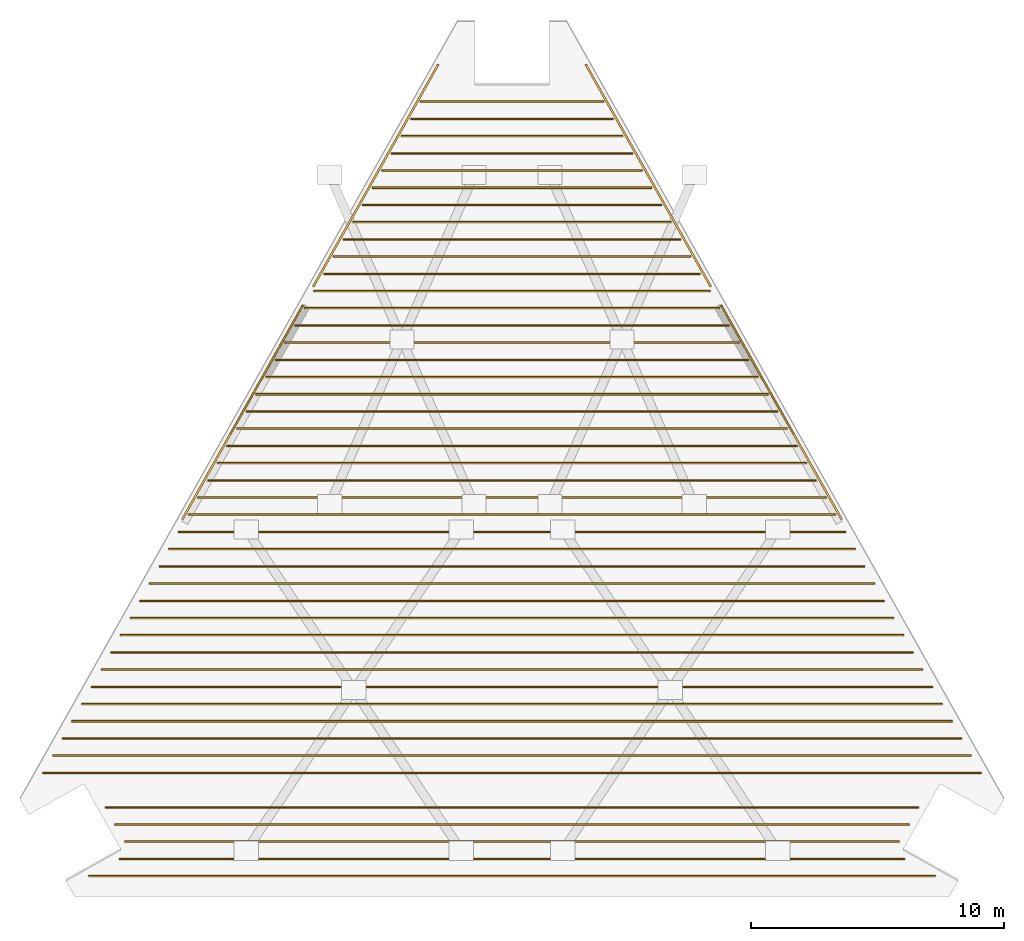
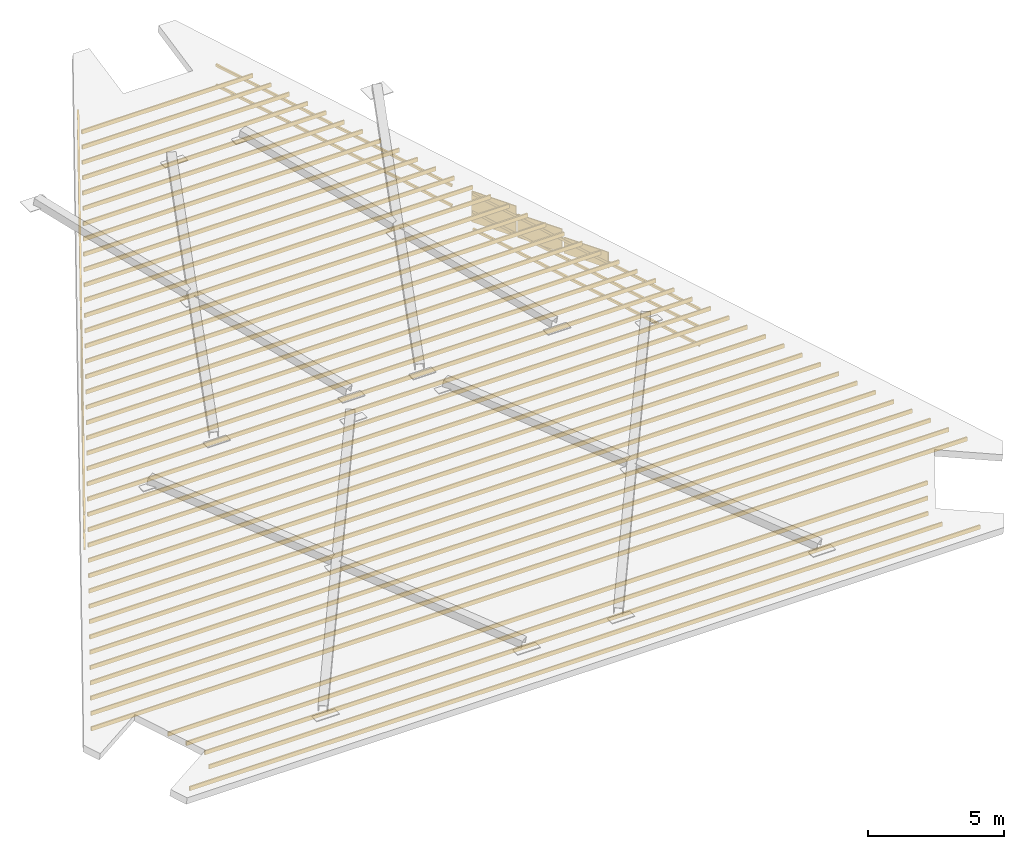
# One storey, part 2 of 2: 55 shading devices, 6 coverings.
"""IFC4 building model written with IfcOpenShell, lengths in metres."""

from ifc_helpers import new_model, si_unit, direction, frame, origin, origin_2d, place, context, subcontext, project, spatial, polyline, rectangle, outline, extrude, material, layer, layer_set, material_profile, profile_set, type_object, element, save


model = new_model("IFC4")

# Units and contexts
model_context = context("Model", 3, precision=1e-05, world=origin(), true_north=direction((0.0, 1.0)))
body_context = subcontext(model_context, "Body", "Model", "MODEL_VIEW")
ifc_project = project(units=[si_unit("LENGTHUNIT", "METRE"), si_unit("AREAUNIT", "SQUARE_METRE"), si_unit("VOLUMEUNIT", "CUBIC_METRE"), si_unit("PLANEANGLEUNIT", "RADIAN"), si_unit("MASSUNIT", "GRAM", prefix="KILO")], contexts=[model_context])

# Site, building, storey
site_placement = place(None, origin())
site = spatial("IfcSite", under=ifc_project, at=site_placement, CompositionType="ELEMENT")
building_placement = place(site_placement, origin())
building = spatial("IfcBuilding", under=site, at=building_placement, Name="Quenlor Broadcast Tower", CompositionType="ELEMENT")
storey_placement = place(building_placement, frame((0.0, 0.0, 290.10009765625)))
storey = spatial("IfcBuildingStorey", under=building, at=storey_placement, Name="RF", CompositionType="ELEMENT", Elevation=290.10009765625)

# Shading devices
ifc_material_1 = material(Name="Architectural Terracotta Ceramic", Category="masonry")
ifc_material_profile_1 = material_profile(ifc_material_1, rectangle(XDim=0.074951171875, YDim=0.110107421875, at=origin_2d()))
ifc_profile_set_1 = profile_set([ifc_material_profile_1], Name="Architectural Terracotta Ceramic BAG75x110")
shading_device_type_1 = type_object("IfcShadingDeviceType", Name="Copper Terracotta Crown Baguette Screen 110", PredefinedType="USERDEFINED", material=ifc_profile_set_1)
for number, where, z_axis, x_axis, name in (
    (1, (2.916748046875, 15.868896484375, 5.785888671875), (0.482487653774, -0.857769102611, -0.177307164438), (0.871578778879, 0.490255476468, 0.0), "RF Crown Wing Terracotta Baguette NEA-1"),
    (2, (2.916748046875, 15.868896484375, 4.885986328125), (0.482487653774, -0.857769102611, -0.177307164438), (0.871578778879, 0.490255476468, 0.0), "RF Crown Wing Terracotta Baguette NEA-2"),
):
    element("IfcShadingDevice", number, at=place(storey_placement, frame(where, z_axis=z_axis, x_axis=x_axis)), inside=storey, type_object=shading_device_type_1, Name=name, ObjectType="BAGUETTE", PredefinedType="USERDEFINED", context=body_context, shape_type="SweptSolid", body=[
        extrude(rectangle(XDim=0.074951171875, YDim=0.110107421875, at=origin_2d()), origin(), (0.0, 0.0, 1.0), 10.21826171875),
    ])
for number, where, z_axis, x_axis, name in (
    (3, (8.281005859375, 6.332763671875, 3.94580078125), (0.482475022749, -0.857755450719, -0.177407551091), (0.871580928928, 0.490251654081, 0.0), "RF Crown Gable Terracotta Baguette NE-1"),
    (4, (8.281005859375, 6.332763671875, 3.145751953125), (0.482475022749, -0.857755450719, -0.177407551091), (0.871580928928, 0.490251654081, 0.0), "RF Crown Gable Terracotta Baguette NE-2"),
    (5, (8.281005859375, 6.332763671875, 2.345703125), (0.482475022749, -0.857755450719, -0.177407551091), (0.871580928928, 0.490251654081, 0.0), "RF Crown Gable Terracotta Baguette NE-3"),
):
    element("IfcShadingDevice", number, at=place(storey_placement, frame(where, z_axis=z_axis, x_axis=x_axis)), inside=storey, type_object=shading_device_type_1, Name=name, ObjectType="BAGUETTE", PredefinedType="USERDEFINED", context=body_context, shape_type="SweptSolid", body=[
        extrude(rectangle(XDim=0.074951171875, YDim=0.110107421875, at=origin_2d()), origin(), (0.0, 0.0, 1.0), 9.829833984375),
    ])
for number, where, z_axis, x_axis, name in (
    (6, (-7.846923828125, 7.10400390625, 3.97412109375), (0.482487653774, 0.857769102611, 0.177307164438), (-0.871578778879, 0.490255476468, 0.0), "RF Crown Wing Terracotta Baguette NWC-1"),
    (7, (-7.846923828125, 7.10400390625, 3.07421875), (0.482487653774, 0.857769102611, 0.177307164438), (-0.871578778879, 0.490255476468, 0.0), "RF Crown Wing Terracotta Baguette NWC-2"),
):
    element("IfcShadingDevice", number, at=place(storey_placement, frame(where, z_axis=z_axis, x_axis=x_axis)), inside=storey, type_object=shading_device_type_1, Name=name, ObjectType="BAGUETTE", PredefinedType="USERDEFINED", context=body_context, shape_type="SweptSolid", body=[
        extrude(rectangle(XDim=0.074951171875, YDim=0.110107421875, at=origin_2d()), origin(), (0.0, 0.0, 1.0), 10.21826171875),
    ])
for number, where, z_axis, x_axis, name in (
    (8, (-13.023681640625, -2.098876953125, 2.201904296875), (0.482475022749, 0.857755450719, 0.177407551091), (-0.871580928928, 0.490251654081, 0.0), "RF Crown Gable Terracotta Baguette NW-1"),
    (9, (-13.023681640625, -2.098876953125, 1.40185546875), (0.482475022749, 0.857755450719, 0.177407551091), (-0.871580928928, 0.490251654081, 0.0), "RF Crown Gable Terracotta Baguette NW-2"),
    (10, (-13.023681640625, -2.098876953125, 0.601806640625), (0.482475022749, 0.857755450719, 0.177407551091), (-0.871580928928, 0.490251654081, 0.0), "RF Crown Gable Terracotta Baguette NW-3"),
):
    element("IfcShadingDevice", number, at=place(storey_placement, frame(where, z_axis=z_axis, x_axis=x_axis)), inside=storey, type_object=shading_device_type_1, Name=name, ObjectType="BAGUETTE", PredefinedType="USERDEFINED", context=body_context, shape_type="SweptSolid", body=[
        extrude(rectangle(XDim=0.074951171875, YDim=0.110107421875, at=origin_2d()), origin(), (0.0, 0.0, 1.0), 9.829833984375),
    ])

# Coverings
ifc_material_2 = material(Name="Architectural Terracotta Ceramic", Category="masonry")
ifc_layer = layer(ifc_material_2, 0.044921875)
ifc_layer_set = layer_set([ifc_layer], Name="Fluted Terracotta Rainscreen Cladding Panel")
covering_type = type_object("IfcCoveringType", Name="Fluted Terracotta Rainscreen Cladding Panel", PredefinedType="CLADDING", material=ifc_layer_set)
covering_1_placement = place(storey_placement, frame((0.0, 0.0, 2.671875)))
element("IfcCovering", 11, at=covering_1_placement, inside=storey, type_object=covering_type, Name="RF Sloped Crown Terracotta Cladding RF-GBL-NE.1", PredefinedType="CLADDING", context=body_context, shape_type="SweptSolid", body=[
    extrude(outline(polyline([(8.231689453125, 6.351806640625), (9.157470703125, 4.7060546875), (9.196533203125, 4.728271484375), (8.27099609375, 6.373779296875), (8.231689453125, 6.351806640625)])), origin(), (0.0, 0.0, 1.0), 1.377685546875),
])
covering_2_placement = place(storey_placement, frame((0.0, 0.0, 2.671875)))
element("IfcCovering", 12, at=covering_2_placement, inside=storey, type_object=covering_type, Name="RF Sloped Crown Terracotta Cladding RF-GBL-NE.2", PredefinedType="CLADDING", context=body_context, shape_type="SweptSolid", body=[
    extrude(outline(polyline([(9.196044921875, 4.637451171875), (10.12158203125, 2.991943359375), (10.160888671875, 3.013916015625), (9.235107421875, 4.65966796875), (9.196044921875, 4.637451171875)])), origin(), (0.0, 0.0, 1.0), 1.044921875),
])
covering_3_placement = place(storey_placement, frame((0.0, 0.0, 2.671875)))
element("IfcCovering", 13, at=covering_3_placement, inside=storey, type_object=covering_type, Name="RF Sloped Crown Terracotta Cladding RF-GBL-NE.3", PredefinedType="CLADDING", context=body_context, shape_type="SweptSolid", body=[
    extrude(outline(polyline([(10.16015625, 2.92333984375), (11.0859375, 1.277587890625), (11.125, 1.2998046875), (10.199462890625, 2.9453125), (10.16015625, 2.92333984375)])), origin(), (0.0, 0.0, 1.0), 0.712158203125),
])
covering_4_placement = place(storey_placement, frame((0.0, 0.0, 2.671875)))
element("IfcCovering", 14, at=covering_4_placement, inside=storey, type_object=covering_type, Name="RF Sloped Crown Terracotta Cladding RF-GBL-NW.3", PredefinedType="CLADDING", context=body_context, shape_type="SweptSolid", body=[
    extrude(outline(polyline([(-11.0859375, 1.277587890625), (-10.16015625, 2.92333984375), (-10.199462890625, 2.9453125), (-11.125, 1.2998046875), (-11.0859375, 1.277587890625)])), origin(), (0.0, 0.0, 1.0), 0.712158203125),
])
covering_5_placement = place(storey_placement, frame((0.0, 0.0, 2.671875)))
element("IfcCovering", 15, at=covering_5_placement, inside=storey, type_object=covering_type, Name="RF Sloped Crown Terracotta Cladding RF-GBL-NW.4", PredefinedType="CLADDING", context=body_context, shape_type="SweptSolid", body=[
    extrude(outline(polyline([(-10.12158203125, 2.991943359375), (-9.196044921875, 4.637451171875), (-9.235107421875, 4.65966796875), (-10.160888671875, 3.013916015625), (-10.12158203125, 2.991943359375)])), origin(), (0.0, 0.0, 1.0), 1.044921875),
])
covering_6_placement = place(storey_placement, frame((0.0, 0.0, 2.671875)))
element("IfcCovering", 16, at=covering_6_placement, inside=storey, type_object=covering_type, Name="RF Sloped Crown Terracotta Cladding RF-GBL-NW.5", PredefinedType="CLADDING", context=body_context, shape_type="SweptSolid", body=[
    extrude(outline(polyline([(-9.157470703125, 4.7060546875), (-8.231689453125, 6.351806640625), (-8.27099609375, 6.373779296875), (-9.196533203125, 4.728271484375), (-9.157470703125, 4.7060546875)])), origin(), (0.0, 0.0, 1.0), 1.377685546875),
])

# Shading devices
ifc_material_3 = material(Name="Architectural Terracotta Ceramic", Category="masonry")
ifc_material_profile_2 = material_profile(ifc_material_3, rectangle(XDim=0.06005859375, YDim=0.179931640625, at=origin_2d()))
ifc_profile_set_2 = profile_set([ifc_material_profile_2], Name="Architectural Terracotta Ceramic LVR60x180")
shading_device_type_2 = type_object("IfcShadingDeviceType", Name="Terracotta Acoustic Plant Weather Louvre 180", PredefinedType="JALOUSIE", material=ifc_profile_set_2)
shading_device_1_placement = place(storey_placement, frame((-16.724609375, -16.199951171875, -0.26220703125), z_axis=(1.0, 0.0, 0.0), x_axis=(0.0, 1.0, 0.0)))
element("IfcShadingDevice", 17, at=shading_device_1_placement, inside=storey, type_object=shading_device_type_2, Name="RF Sloped Crown Terracotta Louvre Screen 1", PredefinedType="JALOUSIE", context=body_context, shape_type="SweptSolid", body=[
    extrude(rectangle(XDim=0.06005859375, YDim=0.179931640625, at=origin_2d()), origin(), (0.0, 0.0, 1.0), 33.44921875),
])
shading_device_2_placement = place(storey_placement, frame((-15.515625, -15.52001953125, -0.1240234375), z_axis=(1.0, 0.0, 0.0), x_axis=(0.0, 1.0, 0.0)))
element("IfcShadingDevice", 18, at=shading_device_2_placement, inside=storey, type_object=shading_device_type_2, Name="RF Sloped Crown Terracotta Louvre Screen 2", PredefinedType="JALOUSIE", context=body_context, shape_type="SweptSolid", body=[
    extrude(rectangle(XDim=0.06005859375, YDim=0.179931640625, at=origin_2d()), origin(), (0.0, 0.0, 1.0), 31.03125),
])
shading_device_3_placement = place(storey_placement, frame((-15.305419921875, -14.840087890625, 0.014404296875), z_axis=(1.0, 0.0, 0.0), x_axis=(0.0, 1.0, 0.0)))
element("IfcShadingDevice", 19, at=shading_device_3_placement, inside=storey, type_object=shading_device_type_2, Name="RF Sloped Crown Terracotta Louvre Screen 3", PredefinedType="JALOUSIE", context=body_context, shape_type="SweptSolid", body=[
    extrude(rectangle(XDim=0.06005859375, YDim=0.179931640625, at=origin_2d()), origin(), (0.0, 0.0, 1.0), 30.61083984375),
])
shading_device_4_placement = place(storey_placement, frame((-15.68798828125, -14.159912109375, 0.152587890625), z_axis=(1.0, 0.0, 0.0), x_axis=(0.0, 1.0, 0.0)))
element("IfcShadingDevice", 20, at=shading_device_4_placement, inside=storey, type_object=shading_device_type_2, Name="RF Sloped Crown Terracotta Louvre Screen 4", PredefinedType="JALOUSIE", context=body_context, shape_type="SweptSolid", body=[
    extrude(rectangle(XDim=0.06005859375, YDim=0.179931640625, at=origin_2d()), origin(), (0.0, 0.0, 1.0), 31.3759765625),
])
shading_device_5_placement = place(storey_placement, frame((-16.0703125, -13.47998046875, 0.291015625), z_axis=(1.0, 0.0, 0.0), x_axis=(0.0, 1.0, 0.0)))
element("IfcShadingDevice", 21, at=shading_device_5_placement, inside=storey, type_object=shading_device_type_2, Name="RF Sloped Crown Terracotta Louvre Screen 5", PredefinedType="JALOUSIE", context=body_context, shape_type="SweptSolid", body=[
    extrude(rectangle(XDim=0.06005859375, YDim=0.179931640625, at=origin_2d()), origin(), (0.0, 0.0, 1.0), 32.140625),
])
shading_device_6_placement = place(storey_placement, frame((-18.53369140625, -12.1201171875, 0.56787109375), z_axis=(1.0, 0.0, 0.0), x_axis=(0.0, 1.0, 0.0)))
element("IfcShadingDevice", 22, at=shading_device_6_placement, inside=storey, type_object=shading_device_type_2, Name="RF Sloped Crown Terracotta Louvre Screen 6", PredefinedType="JALOUSIE", context=body_context, shape_type="SweptSolid", body=[
    extrude(rectangle(XDim=0.06005859375, YDim=0.179931640625, at=origin_2d()), origin(), (0.0, 0.0, 1.0), 37.0673828125),
])
shading_device_7_placement = place(storey_placement, frame((-18.151123046875, -11.43994140625, 0.7060546875), z_axis=(1.0, 0.0, 0.0), x_axis=(0.0, 1.0, 0.0)))
element("IfcShadingDevice", 23, at=shading_device_7_placement, inside=storey, type_object=shading_device_type_2, Name="RF Sloped Crown Terracotta Louvre Screen 7", PredefinedType="JALOUSIE", context=body_context, shape_type="SweptSolid", body=[
    extrude(rectangle(XDim=0.06005859375, YDim=0.179931640625, at=origin_2d()), origin(), (0.0, 0.0, 1.0), 36.30224609375),
])
shading_device_8_placement = place(storey_placement, frame((-17.768798828125, -10.760009765625, 0.844482421875), z_axis=(1.0, 0.0, 0.0), x_axis=(0.0, 1.0, 0.0)))
element("IfcShadingDevice", 24, at=shading_device_8_placement, inside=storey, type_object=shading_device_type_2, Name="RF Sloped Crown Terracotta Louvre Screen 8", PredefinedType="JALOUSIE", context=body_context, shape_type="SweptSolid", body=[
    extrude(rectangle(XDim=0.06005859375, YDim=0.179931640625, at=origin_2d()), origin(), (0.0, 0.0, 1.0), 35.53759765625),
])
shading_device_9_placement = place(storey_placement, frame((-17.38623046875, -10.080078125, 0.98291015625), z_axis=(1.0, 0.0, 0.0), x_axis=(0.0, 1.0, 0.0)))
element("IfcShadingDevice", 25, at=shading_device_9_placement, inside=storey, type_object=shading_device_type_2, Name="RF Sloped Crown Terracotta Louvre Screen 9", PredefinedType="JALOUSIE", context=body_context, shape_type="SweptSolid", body=[
    extrude(rectangle(XDim=0.06005859375, YDim=0.179931640625, at=origin_2d()), origin(), (0.0, 0.0, 1.0), 34.7724609375),
])
shading_device_10_placement = place(storey_placement, frame((-17.003662109375, -9.39990234375, 1.12109375), z_axis=(1.0, 0.0, 0.0), x_axis=(0.0, 1.0, 0.0)))
element("IfcShadingDevice", 26, at=shading_device_10_placement, inside=storey, type_object=shading_device_type_2, Name="RF Sloped Crown Terracotta Louvre Screen 10", PredefinedType="JALOUSIE", context=body_context, shape_type="SweptSolid", body=[
    extrude(rectangle(XDim=0.06005859375, YDim=0.179931640625, at=origin_2d()), origin(), (0.0, 0.0, 1.0), 34.00732421875),
])
shading_device_11_placement = place(storey_placement, frame((-16.62109375, -8.719970703125, 1.259521484375), z_axis=(1.0, 0.0, 0.0), x_axis=(0.0, 1.0, 0.0)))
element("IfcShadingDevice", 27, at=shading_device_11_placement, inside=storey, type_object=shading_device_type_2, Name="RF Sloped Crown Terracotta Louvre Screen 11", PredefinedType="JALOUSIE", context=body_context, shape_type="SweptSolid", body=[
    extrude(rectangle(XDim=0.06005859375, YDim=0.179931640625, at=origin_2d()), origin(), (0.0, 0.0, 1.0), 33.2421875),
])
shading_device_12_placement = place(storey_placement, frame((-16.23876953125, -8.0400390625, 1.39794921875), z_axis=(1.0, 0.0, 0.0), x_axis=(0.0, 1.0, 0.0)))
element("IfcShadingDevice", 28, at=shading_device_12_placement, inside=storey, type_object=shading_device_type_2, Name="RF Sloped Crown Terracotta Louvre Screen 12", PredefinedType="JALOUSIE", context=body_context, shape_type="SweptSolid", body=[
    extrude(rectangle(XDim=0.06005859375, YDim=0.179931640625, at=origin_2d()), origin(), (0.0, 0.0, 1.0), 32.4775390625),
])
shading_device_13_placement = place(storey_placement, frame((-15.856201171875, -7.360107421875, 1.5361328125), z_axis=(1.0, 0.0, 0.0), x_axis=(0.0, 1.0, 0.0)))
element("IfcShadingDevice", 29, at=shading_device_13_placement, inside=storey, type_object=shading_device_type_2, Name="RF Sloped Crown Terracotta Louvre Screen 13", PredefinedType="JALOUSIE", context=body_context, shape_type="SweptSolid", body=[
    extrude(rectangle(XDim=0.06005859375, YDim=0.179931640625, at=origin_2d()), origin(), (0.0, 0.0, 1.0), 31.71240234375),
])
shading_device_14_placement = place(storey_placement, frame((-15.4736328125, -6.679931640625, 1.674560546875), z_axis=(1.0, 0.0, 0.0), x_axis=(0.0, 1.0, 0.0)))
element("IfcShadingDevice", 30, at=shading_device_14_placement, inside=storey, type_object=shading_device_type_2, Name="RF Sloped Crown Terracotta Louvre Screen 14", PredefinedType="JALOUSIE", context=body_context, shape_type="SweptSolid", body=[
    extrude(rectangle(XDim=0.06005859375, YDim=0.179931640625, at=origin_2d()), origin(), (0.0, 0.0, 1.0), 30.947265625),
])
shading_device_15_placement = place(storey_placement, frame((-15.09130859375, -6.0, 1.81298828125), z_axis=(1.0, 0.0, 0.0), x_axis=(0.0, 1.0, 0.0)))
element("IfcShadingDevice", 31, at=shading_device_15_placement, inside=storey, type_object=shading_device_type_2, Name="RF Sloped Crown Terracotta Louvre Screen 15", PredefinedType="JALOUSIE", context=body_context, shape_type="SweptSolid", body=[
    extrude(rectangle(XDim=0.06005859375, YDim=0.179931640625, at=origin_2d()), origin(), (0.0, 0.0, 1.0), 30.1826171875),
])
shading_device_16_placement = place(storey_placement, frame((-14.708740234375, -5.320068359375, 1.951416015625), z_axis=(1.0, 0.0, 0.0), x_axis=(0.0, 1.0, 0.0)))
element("IfcShadingDevice", 32, at=shading_device_16_placement, inside=storey, type_object=shading_device_type_2, Name="RF Sloped Crown Terracotta Louvre Screen 16", PredefinedType="JALOUSIE", context=body_context, shape_type="SweptSolid", body=[
    extrude(rectangle(XDim=0.06005859375, YDim=0.179931640625, at=origin_2d()), origin(), (0.0, 0.0, 1.0), 29.41748046875),
])
shading_device_17_placement = place(storey_placement, frame((-14.326171875, -4.639892578125, 2.089599609375), z_axis=(1.0, 0.0, 0.0), x_axis=(0.0, 1.0, 0.0)))
element("IfcShadingDevice", 33, at=shading_device_17_placement, inside=storey, type_object=shading_device_type_2, Name="RF Sloped Crown Terracotta Louvre Screen 17", PredefinedType="JALOUSIE", context=body_context, shape_type="SweptSolid", body=[
    extrude(rectangle(XDim=0.06005859375, YDim=0.179931640625, at=origin_2d()), origin(), (0.0, 0.0, 1.0), 28.65234375),
])
shading_device_18_placement = place(storey_placement, frame((-13.943603515625, -3.9599609375, 2.22802734375), z_axis=(1.0, 0.0, 0.0), x_axis=(0.0, 1.0, 0.0)))
element("IfcShadingDevice", 34, at=shading_device_18_placement, inside=storey, type_object=shading_device_type_2, Name="RF Sloped Crown Terracotta Louvre Screen 18", PredefinedType="JALOUSIE", context=body_context, shape_type="SweptSolid", body=[
    extrude(rectangle(XDim=0.06005859375, YDim=0.179931640625, at=origin_2d()), origin(), (0.0, 0.0, 1.0), 27.88720703125),
])
shading_device_19_placement = place(storey_placement, frame((-13.561279296875, -3.280029296875, 2.3662109375), z_axis=(1.0, 0.0, 0.0), x_axis=(0.0, 1.0, 0.0)))
element("IfcShadingDevice", 35, at=shading_device_19_placement, inside=storey, type_object=shading_device_type_2, Name="RF Sloped Crown Terracotta Louvre Screen 19", PredefinedType="JALOUSIE", context=body_context, shape_type="SweptSolid", body=[
    extrude(rectangle(XDim=0.06005859375, YDim=0.179931640625, at=origin_2d()), origin(), (0.0, 0.0, 1.0), 27.12255859375),
])
shading_device_20_placement = place(storey_placement, frame((-13.1787109375, -2.60009765625, 2.504638671875), z_axis=(1.0, 0.0, 0.0), x_axis=(0.0, 1.0, 0.0)))
element("IfcShadingDevice", 36, at=shading_device_20_placement, inside=storey, type_object=shading_device_type_2, Name="RF Sloped Crown Terracotta Louvre Screen 20", PredefinedType="JALOUSIE", context=body_context, shape_type="SweptSolid", body=[
    extrude(rectangle(XDim=0.06005859375, YDim=0.179931640625, at=origin_2d()), origin(), (0.0, 0.0, 1.0), 26.357421875),
])
shading_device_21_placement = place(storey_placement, frame((-12.796142578125, -1.919921875, 2.64306640625), z_axis=(1.0, 0.0, 0.0), x_axis=(0.0, 1.0, 0.0)))
element("IfcShadingDevice", 37, at=shading_device_21_placement, inside=storey, type_object=shading_device_type_2, Name="RF Sloped Crown Terracotta Louvre Screen 21", PredefinedType="JALOUSIE", context=body_context, shape_type="SweptSolid", body=[
    extrude(rectangle(XDim=0.06005859375, YDim=0.179931640625, at=origin_2d()), origin(), (0.0, 0.0, 1.0), 25.59228515625),
])
shading_device_22_placement = place(storey_placement, frame((-12.413818359375, -1.239990234375, 2.78125), z_axis=(1.0, 0.0, 0.0), x_axis=(0.0, 1.0, 0.0)))
element("IfcShadingDevice", 38, at=shading_device_22_placement, inside=storey, type_object=shading_device_type_2, Name="RF Sloped Crown Terracotta Louvre Screen 22", PredefinedType="JALOUSIE", context=body_context, shape_type="SweptSolid", body=[
    extrude(rectangle(XDim=0.06005859375, YDim=0.179931640625, at=origin_2d()), origin(), (0.0, 0.0, 1.0), 24.82763671875),
])
shading_device_23_placement = place(storey_placement, frame((-12.03125, -0.56005859375, 2.919677734375), z_axis=(1.0, 0.0, 0.0), x_axis=(0.0, 1.0, 0.0)))
element("IfcShadingDevice", 39, at=shading_device_23_placement, inside=storey, type_object=shading_device_type_2, Name="RF Sloped Crown Terracotta Louvre Screen 23", PredefinedType="JALOUSIE", context=body_context, shape_type="SweptSolid", body=[
    extrude(rectangle(XDim=0.06005859375, YDim=0.179931640625, at=origin_2d()), origin(), (0.0, 0.0, 1.0), 24.0625),
])
shading_device_24_placement = place(storey_placement, frame((-11.648681640625, 0.1201171875, 3.05810546875), z_axis=(1.0, 0.0, 0.0), x_axis=(0.0, 1.0, 0.0)))
element("IfcShadingDevice", 40, at=shading_device_24_placement, inside=storey, type_object=shading_device_type_2, Name="RF Sloped Crown Terracotta Louvre Screen 24", PredefinedType="JALOUSIE", context=body_context, shape_type="SweptSolid", body=[
    extrude(rectangle(XDim=0.06005859375, YDim=0.179931640625, at=origin_2d()), origin(), (0.0, 0.0, 1.0), 23.29736328125),
])
shading_device_25_placement = place(storey_placement, frame((-11.26611328125, 0.800048828125, 3.1962890625), z_axis=(1.0, 0.0, 0.0), x_axis=(0.0, 1.0, 0.0)))
element("IfcShadingDevice", 41, at=shading_device_25_placement, inside=storey, type_object=shading_device_type_2, Name="RF Sloped Crown Terracotta Louvre Screen 25", PredefinedType="JALOUSIE", context=body_context, shape_type="SweptSolid", body=[
    extrude(rectangle(XDim=0.06005859375, YDim=0.179931640625, at=origin_2d()), origin(), (0.0, 0.0, 1.0), 22.5322265625),
])
shading_device_26_placement = place(storey_placement, frame((-10.8837890625, 1.47998046875, 3.334716796875), z_axis=(1.0, 0.0, 0.0), x_axis=(0.0, 1.0, 0.0)))
element("IfcShadingDevice", 42, at=shading_device_26_placement, inside=storey, type_object=shading_device_type_2, Name="RF Sloped Crown Terracotta Louvre Screen 26", PredefinedType="JALOUSIE", context=body_context, shape_type="SweptSolid", body=[
    extrude(rectangle(XDim=0.06005859375, YDim=0.179931640625, at=origin_2d()), origin(), (0.0, 0.0, 1.0), 21.767578125),
])
shading_device_27_placement = place(storey_placement, frame((-10.501220703125, 2.159912109375, 3.47314453125), z_axis=(1.0, 0.0, 0.0), x_axis=(0.0, 1.0, 0.0)))
element("IfcShadingDevice", 43, at=shading_device_27_placement, inside=storey, type_object=shading_device_type_2, Name="RF Sloped Crown Terracotta Louvre Screen 27", PredefinedType="JALOUSIE", context=body_context, shape_type="SweptSolid", body=[
    extrude(rectangle(XDim=0.06005859375, YDim=0.179931640625, at=origin_2d()), origin(), (0.0, 0.0, 1.0), 21.00244140625),
])
shading_device_28_placement = place(storey_placement, frame((-10.11865234375, 2.840087890625, 3.611328125), z_axis=(1.0, 0.0, 0.0), x_axis=(0.0, 1.0, 0.0)))
element("IfcShadingDevice", 44, at=shading_device_28_placement, inside=storey, type_object=shading_device_type_2, Name="RF Sloped Crown Terracotta Louvre Screen 28", PredefinedType="JALOUSIE", context=body_context, shape_type="SweptSolid", body=[
    extrude(rectangle(XDim=0.06005859375, YDim=0.179931640625, at=origin_2d()), origin(), (0.0, 0.0, 1.0), 20.2373046875),
])
shading_device_29_placement = place(storey_placement, frame((-9.736083984375, 3.52001953125, 3.749755859375), z_axis=(1.0, 0.0, 0.0), x_axis=(0.0, 1.0, 0.0)))
element("IfcShadingDevice", 45, at=shading_device_29_placement, inside=storey, type_object=shading_device_type_2, Name="RF Sloped Crown Terracotta Louvre Screen 29", PredefinedType="JALOUSIE", context=body_context, shape_type="SweptSolid", body=[
    extrude(rectangle(XDim=0.06005859375, YDim=0.179931640625, at=origin_2d()), origin(), (0.0, 0.0, 1.0), 19.47216796875),
])
shading_device_30_placement = place(storey_placement, frame((-9.353759765625, 4.199951171875, 3.88818359375), z_axis=(1.0, 0.0, 0.0), x_axis=(0.0, 1.0, 0.0)))
element("IfcShadingDevice", 46, at=shading_device_30_placement, inside=storey, type_object=shading_device_type_2, Name="RF Sloped Crown Terracotta Louvre Screen 30", PredefinedType="JALOUSIE", context=body_context, shape_type="SweptSolid", body=[
    extrude(rectangle(XDim=0.06005859375, YDim=0.179931640625, at=origin_2d()), origin(), (0.0, 0.0, 1.0), 18.70751953125),
])
shading_device_31_placement = place(storey_placement, frame((-8.97119140625, 4.8798828125, 4.026611328125), z_axis=(1.0, 0.0, 0.0), x_axis=(0.0, 1.0, 0.0)))
element("IfcShadingDevice", 47, at=shading_device_31_placement, inside=storey, type_object=shading_device_type_2, Name="RF Sloped Crown Terracotta Louvre Screen 31", PredefinedType="JALOUSIE", context=body_context, shape_type="SweptSolid", body=[
    extrude(rectangle(XDim=0.06005859375, YDim=0.179931640625, at=origin_2d()), origin(), (0.0, 0.0, 1.0), 17.9423828125),
])
shading_device_32_placement = place(storey_placement, frame((-8.588623046875, 5.56005859375, 4.164794921875), z_axis=(1.0, 0.0, 0.0), x_axis=(0.0, 1.0, 0.0)))
element("IfcShadingDevice", 48, at=shading_device_32_placement, inside=storey, type_object=shading_device_type_2, Name="RF Sloped Crown Terracotta Louvre Screen 32", PredefinedType="JALOUSIE", context=body_context, shape_type="SweptSolid", body=[
    extrude(rectangle(XDim=0.06005859375, YDim=0.179931640625, at=origin_2d()), origin(), (0.0, 0.0, 1.0), 17.17724609375),
])
shading_device_33_placement = place(storey_placement, frame((-8.206298828125, 6.239990234375, 4.30322265625), z_axis=(1.0, 0.0, 0.0), x_axis=(0.0, 1.0, 0.0)))
element("IfcShadingDevice", 49, at=shading_device_33_placement, inside=storey, type_object=shading_device_type_2, Name="RF Sloped Crown Terracotta Louvre Screen 33", PredefinedType="JALOUSIE", context=body_context, shape_type="SweptSolid", body=[
    extrude(rectangle(XDim=0.06005859375, YDim=0.179931640625, at=origin_2d()), origin(), (0.0, 0.0, 1.0), 16.41259765625),
])
shading_device_34_placement = place(storey_placement, frame((-7.82373046875, 6.919921875, 4.44140625), z_axis=(1.0, 0.0, 0.0), x_axis=(0.0, 1.0, 0.0)))
element("IfcShadingDevice", 50, at=shading_device_34_placement, inside=storey, type_object=shading_device_type_2, Name="RF Sloped Crown Terracotta Louvre Screen 34", PredefinedType="JALOUSIE", context=body_context, shape_type="SweptSolid", body=[
    extrude(rectangle(XDim=0.06005859375, YDim=0.179931640625, at=origin_2d()), origin(), (0.0, 0.0, 1.0), 15.6474609375),
])
shading_device_35_placement = place(storey_placement, frame((-7.441162109375, 7.60009765625, 4.579833984375), z_axis=(1.0, 0.0, 0.0), x_axis=(0.0, 1.0, 0.0)))
element("IfcShadingDevice", 51, at=shading_device_35_placement, inside=storey, type_object=shading_device_type_2, Name="RF Sloped Crown Terracotta Louvre Screen 35", PredefinedType="JALOUSIE", context=body_context, shape_type="SweptSolid", body=[
    extrude(rectangle(XDim=0.06005859375, YDim=0.179931640625, at=origin_2d()), origin(), (0.0, 0.0, 1.0), 14.88232421875),
])
shading_device_36_placement = place(storey_placement, frame((-7.05859375, 8.280029296875, 4.71826171875), z_axis=(1.0, 0.0, 0.0), x_axis=(0.0, 1.0, 0.0)))
element("IfcShadingDevice", 52, at=shading_device_36_placement, inside=storey, type_object=shading_device_type_2, Name="RF Sloped Crown Terracotta Louvre Screen 36", PredefinedType="JALOUSIE", context=body_context, shape_type="SweptSolid", body=[
    extrude(rectangle(XDim=0.06005859375, YDim=0.179931640625, at=origin_2d()), origin(), (0.0, 0.0, 1.0), 14.1171875),
])
shading_device_37_placement = place(storey_placement, frame((-6.67626953125, 8.9599609375, 4.856689453125), z_axis=(1.0, 0.0, 0.0), x_axis=(0.0, 1.0, 0.0)))
element("IfcShadingDevice", 53, at=shading_device_37_placement, inside=storey, type_object=shading_device_type_2, Name="RF Sloped Crown Terracotta Louvre Screen 37", PredefinedType="JALOUSIE", context=body_context, shape_type="SweptSolid", body=[
    extrude(rectangle(XDim=0.06005859375, YDim=0.179931640625, at=origin_2d()), origin(), (0.0, 0.0, 1.0), 13.3525390625),
])
shading_device_38_placement = place(storey_placement, frame((-6.293701171875, 9.639892578125, 4.994873046875), z_axis=(1.0, 0.0, 0.0), x_axis=(0.0, 1.0, 0.0)))
element("IfcShadingDevice", 54, at=shading_device_38_placement, inside=storey, type_object=shading_device_type_2, Name="RF Sloped Crown Terracotta Louvre Screen 38", PredefinedType="JALOUSIE", context=body_context, shape_type="SweptSolid", body=[
    extrude(rectangle(XDim=0.06005859375, YDim=0.179931640625, at=origin_2d()), origin(), (0.0, 0.0, 1.0), 12.58740234375),
])
shading_device_39_placement = place(storey_placement, frame((-5.9111328125, 10.320068359375, 5.13330078125), z_axis=(1.0, 0.0, 0.0), x_axis=(0.0, 1.0, 0.0)))
element("IfcShadingDevice", 55, at=shading_device_39_placement, inside=storey, type_object=shading_device_type_2, Name="RF Sloped Crown Terracotta Louvre Screen 39", PredefinedType="JALOUSIE", context=body_context, shape_type="SweptSolid", body=[
    extrude(rectangle(XDim=0.06005859375, YDim=0.179931640625, at=origin_2d()), origin(), (0.0, 0.0, 1.0), 11.822265625),
])
shading_device_40_placement = place(storey_placement, frame((-5.52880859375, 11.0, 5.271484375), z_axis=(1.0, 0.0, 0.0), x_axis=(0.0, 1.0, 0.0)))
element("IfcShadingDevice", 56, at=shading_device_40_placement, inside=storey, type_object=shading_device_type_2, Name="RF Sloped Crown Terracotta Louvre Screen 40", PredefinedType="JALOUSIE", context=body_context, shape_type="SweptSolid", body=[
    extrude(rectangle(XDim=0.06005859375, YDim=0.179931640625, at=origin_2d()), origin(), (0.0, 0.0, 1.0), 11.0576171875),
])
shading_device_41_placement = place(storey_placement, frame((-5.146240234375, 11.679931640625, 5.409912109375), z_axis=(1.0, 0.0, 0.0), x_axis=(0.0, 1.0, 0.0)))
element("IfcShadingDevice", 57, at=shading_device_41_placement, inside=storey, type_object=shading_device_type_2, Name="RF Sloped Crown Terracotta Louvre Screen 41", PredefinedType="JALOUSIE", context=body_context, shape_type="SweptSolid", body=[
    extrude(rectangle(XDim=0.06005859375, YDim=0.179931640625, at=origin_2d()), origin(), (0.0, 0.0, 1.0), 10.29248046875),
])
shading_device_42_placement = place(storey_placement, frame((-4.763671875, 12.360107421875, 5.54833984375), z_axis=(1.0, 0.0, 0.0), x_axis=(0.0, 1.0, 0.0)))
element("IfcShadingDevice", 58, at=shading_device_42_placement, inside=storey, type_object=shading_device_type_2, Name="RF Sloped Crown Terracotta Louvre Screen 42", PredefinedType="JALOUSIE", context=body_context, shape_type="SweptSolid", body=[
    extrude(rectangle(XDim=0.06005859375, YDim=0.179931640625, at=origin_2d()), origin(), (0.0, 0.0, 1.0), 9.52734375),
])
shading_device_43_placement = place(storey_placement, frame((-4.381103515625, 13.0400390625, 5.6865234375), z_axis=(1.0, 0.0, 0.0), x_axis=(0.0, 1.0, 0.0)))
element("IfcShadingDevice", 59, at=shading_device_43_placement, inside=storey, type_object=shading_device_type_2, Name="RF Sloped Crown Terracotta Louvre Screen 43", PredefinedType="JALOUSIE", context=body_context, shape_type="SweptSolid", body=[
    extrude(rectangle(XDim=0.06005859375, YDim=0.179931640625, at=origin_2d()), origin(), (0.0, 0.0, 1.0), 8.76220703125),
])
shading_device_44_placement = place(storey_placement, frame((-3.998779296875, 13.719970703125, 5.824951171875), z_axis=(1.0, 0.0, 0.0), x_axis=(0.0, 1.0, 0.0)))
element("IfcShadingDevice", 60, at=shading_device_44_placement, inside=storey, type_object=shading_device_type_2, Name="RF Sloped Crown Terracotta Louvre Screen 44", PredefinedType="JALOUSIE", context=body_context, shape_type="SweptSolid", body=[
    extrude(rectangle(XDim=0.06005859375, YDim=0.179931640625, at=origin_2d()), origin(), (0.0, 0.0, 1.0), 7.99755859375),
])
shading_device_45_placement = place(storey_placement, frame((-3.6162109375, 14.39990234375, 5.96337890625), z_axis=(1.0, 0.0, 0.0), x_axis=(0.0, 1.0, 0.0)))
element("IfcShadingDevice", 61, at=shading_device_45_placement, inside=storey, type_object=shading_device_type_2, Name="RF Sloped Crown Terracotta Louvre Screen 45", PredefinedType="JALOUSIE", context=body_context, shape_type="SweptSolid", body=[
    extrude(rectangle(XDim=0.06005859375, YDim=0.179931640625, at=origin_2d()), origin(), (0.0, 0.0, 1.0), 7.232421875),
])

save(model, "model.ifc")
